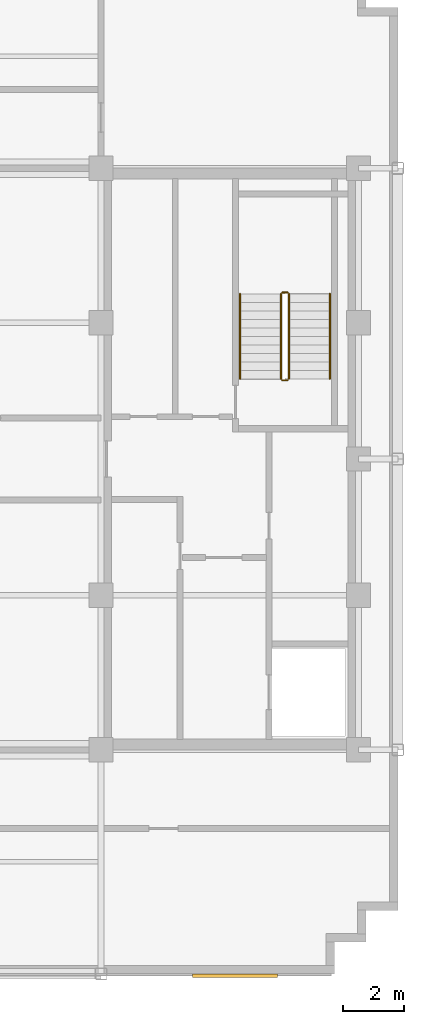
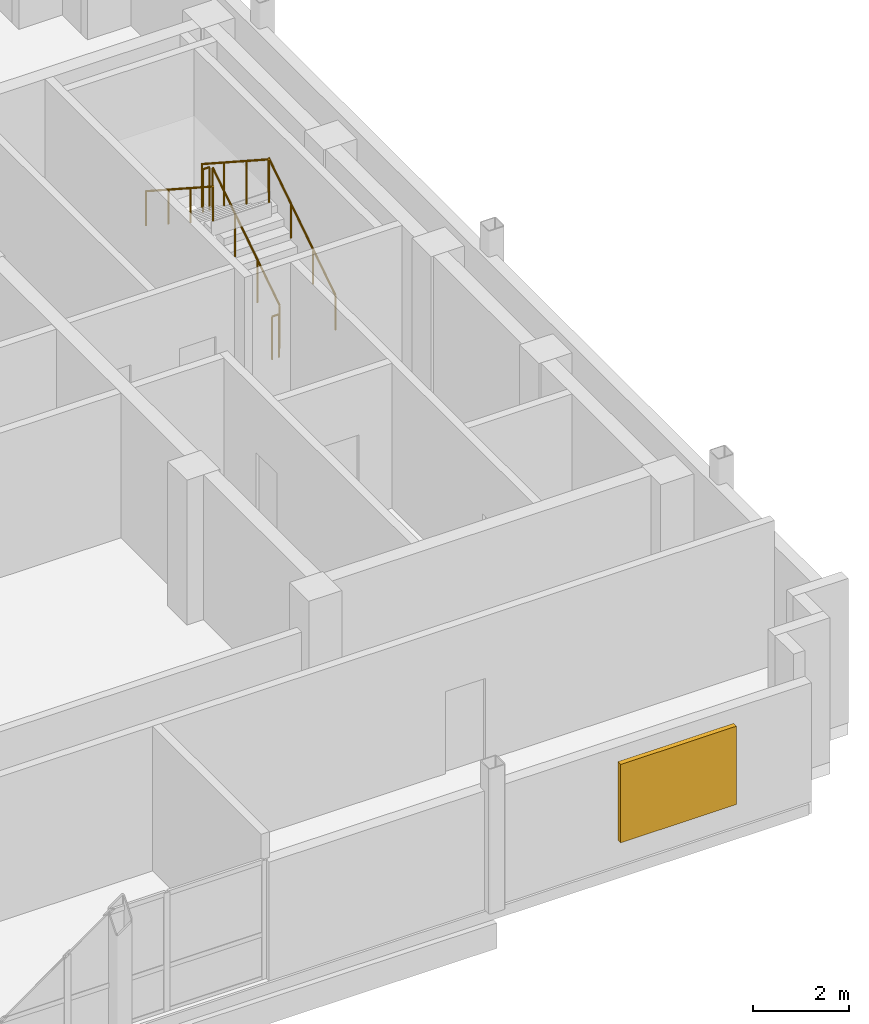
# One storey, part 9 of 10: 6 railings, 1 shading device.
"""IFC4 building model written with IfcOpenShell, lengths in metres."""

import ifcopenshell
import ifcopenshell.guid

model = None  # the IFC model being written
_history = None  # IfcOwnerHistory: only IFC2X3 demands one
_inside = {}  # id of a spatial element -> (the spatial element, [elements in it])
_under = {}  # id of a project, library or spatial element -> (it, [spatial elements below it])
_declared = {}  # id of a project -> (the project, [libraries it declares])
_typed = {}  # id of a type object -> (the type object, [elements of that type])
_made_of = {}  # id of a material, layer set ... -> (it, [elements and type objects made of it])


def new_model(schema):
    """Start an empty IFC model of exactly this schema.

    Asked for "IFC4X3", IfcOpenShell would pick the latest addendum, in which some entities
    have other attributes; the version numbers below select the first issue.
    IFC2X3 requires an IfcOwnerHistory on every rooted entity: one is made here for all.
    """
    global model, _history
    if schema == "IFC4X3":
        model = ifcopenshell.file(schema_version=(4, 3, 0, 0))
    else:
        model = ifcopenshell.file(schema=schema)
    _inside.clear()
    _under.clear()
    _declared.clear()
    _typed.clear()
    _made_of.clear()
    _history = None
    if model.schema == "IFC2X3":
        org = make("IfcOrganization", Name="unknown")
        user = make(
            "IfcPersonAndOrganization",
            ThePerson=make("IfcPerson", FamilyName="unknown"),
            TheOrganization=org,
        )
        app = make(
            "IfcApplication",
            ApplicationDeveloper=org,
            Version="unknown",
            ApplicationFullName="unknown",
            ApplicationIdentifier="unknown",
        )
        _history = make(
            "IfcOwnerHistory",
            OwningUser=user,
            OwningApplication=app,
            ChangeAction="ADDED",
            CreationDate=0,
        )
    return model


def make(cls, **values):
    """One entity of the class cls with the attributes given. An attribute that is None is left unset."""
    return model.create_entity(
        cls, **{name: value for name, value in values.items() if value is not None}
    )


def rooted(cls, **values):
    """An entity with a GlobalId (a new one), such as an element, a storey or a relation."""
    return make(cls, GlobalId=ifcopenshell.guid.new(), OwnerHistory=_history, **values)


def si_unit(unit_type, name, prefix=None):
    """IfcSIUnit, for example si_unit("LENGTHUNIT", "METRE", prefix="MILLI")."""
    return make("IfcSIUnit", UnitType=unit_type, Prefix=prefix, Name=name)


def assignment(units):
    """IfcUnitAssignment: the units of a project."""
    return None if units is None else make("IfcUnitAssignment", Units=units)


def point(xyz):
    """IfcCartesianPoint."""
    return None if xyz is None else make("IfcCartesianPoint", Coordinates=xyz)


def direction(xyz):
    """IfcDirection."""
    return None if xyz is None else make("IfcDirection", DirectionRatios=xyz)


def frame(location, z_axis=None, x_axis=None):
    """IfcAxis2Placement3D, a coordinate frame: its origin and axes. An axis left out is left unset."""
    return make(
        "IfcAxis2Placement3D",
        Location=point(location),
        Axis=direction(z_axis),
        RefDirection=direction(x_axis),
    )


def frame_2d(location, x_axis=None):
    """IfcAxis2Placement2D, a coordinate frame in the plane: its origin and x axis."""
    return make(
        "IfcAxis2Placement2D", Location=point(location), RefDirection=direction(x_axis)
    )


def origin():
    """The frame at (0, 0, 0) with its axes left unset."""
    return frame((0.0, 0.0, 0.0))


def origin_2d():
    """The frame at (0, 0) in the plane with its x axis left unset."""
    return frame_2d((0.0, 0.0))


def place(relative_to, where):
    """IfcLocalPlacement: puts the frame where relative to a parent placement (None: the world)."""
    return make(
        "IfcLocalPlacement", PlacementRelTo=relative_to, RelativePlacement=where
    )


def context(
    kind, dimensions, precision=None, world=None, true_north=None, identifier=None
):
    """IfcGeometricRepresentationContext, for example the 3D "Model" context."""
    return make(
        "IfcGeometricRepresentationContext",
        ContextIdentifier=identifier,
        ContextType=kind,
        CoordinateSpaceDimension=dimensions,
        Precision=precision,
        WorldCoordinateSystem=world,
        TrueNorth=true_north,
    )


def subcontext(parent, identifier, kind, view, scale=None):
    """IfcGeometricRepresentationSubContext, for example "Body" below "Model"."""
    return make(
        "IfcGeometricRepresentationSubContext",
        ContextIdentifier=identifier,
        ContextType=kind,
        ParentContext=parent,
        TargetScale=scale,
        TargetView=view,
    )


def project(units=None, contexts=None):
    """IfcProject with its units and contexts."""
    return rooted(
        "IfcProject",
        Name="project",
        RepresentationContexts=contexts,
        UnitsInContext=assignment(units),
    )


def spatial(cls, under=None, at=None, **own):
    """A site, building, storey or space (cls), placed at a placement, below another one or the project."""
    s = rooted(cls, ObjectPlacement=at, **own)
    if under is not None:
        _under.setdefault(under.id(), (under, []))[1].append(s)
    return s


def profile(cls, at=None, kind="AREA", **sizes):
    """A parametric profile (cls). Its sizes go by their IFC names, for example OverallWidth=200.0."""
    return make(cls, ProfileType=kind, Position=at, **sizes)


def rectangle(**sizes):
    """IfcRectangleProfileDef."""
    return profile("IfcRectangleProfileDef", **sizes)


def circle(**sizes):
    """IfcCircleProfileDef."""
    return profile("IfcCircleProfileDef", **sizes)


def extrude(swept, where, along, depth):
    """IfcExtrudedAreaSolid: the profile swept, set in the frame where, extruded along a direction by depth."""
    return make(
        "IfcExtrudedAreaSolid",
        SweptArea=swept,
        Position=where,
        ExtrudedDirection=direction(along),
        Depth=depth,
    )


def shape(context_of_items, identifier, shape_type, items):
    """IfcShapeRepresentation: the items that make up one representation, for example the "Body"."""
    return make(
        "IfcShapeRepresentation",
        ContextOfItems=context_of_items,
        RepresentationIdentifier=identifier,
        RepresentationType=shape_type,
        Items=items,
    )


def source(mapping_origin, context_of_items, identifier, shape_type, items):
    """IfcRepresentationMap: a shape defined once, which mapped items show again and again."""
    return make(
        "IfcRepresentationMap",
        MappingOrigin=mapping_origin,
        MappedRepresentation=shape(context_of_items, identifier, shape_type, items),
    )


def transform(
    local_origin,
    x_axis=None,
    y_axis=None,
    z_axis=None,
    scale=None,
    scale2=None,
    scale3=None,
    uniform=True,
):
    """IfcCartesianTransformationOperator3D, or its non-uniform kind. x_axis, y_axis, z_axis: its Axis1, 2, 3."""
    if uniform:
        return make(
            "IfcCartesianTransformationOperator3D",
            Axis1=direction(x_axis),
            Axis2=direction(y_axis),
            LocalOrigin=point(local_origin),
            Scale=scale,
            Axis3=direction(z_axis),
        )
    return make(
        "IfcCartesianTransformationOperator3DnonUniform",
        Axis1=direction(x_axis),
        Axis2=direction(y_axis),
        LocalOrigin=point(local_origin),
        Scale=scale,
        Axis3=direction(z_axis),
        Scale2=scale2,
        Scale3=scale3,
    )


def mapped(mapping_source, mapping_target):
    """IfcMappedItem: shows the shape of a source again, moved by a transform."""
    return make(
        "IfcMappedItem", MappingSource=mapping_source, MappingTarget=mapping_target
    )


def material(Name=None, Category=None):
    """IfcMaterial."""
    return make("IfcMaterial", Name=Name, Category=Category)


def made_of(thing, what):
    """Note that an element or type object is made of a material, layer set ...; save() writes the relation."""
    if what is not None:
        _made_of.setdefault(what.id(), (what, []))[1].append(thing)
    return thing


def type_object(cls, material=None, **own):
    """A type object (cls), such as IfcWallType, which elements share."""
    return made_of(rooted(cls, **own), material)


def type_shapes(of_type, sources):
    """Give a type object the sources (RepresentationMaps) that its elements show as mapped items."""
    of_type.RepresentationMaps = sources


def element(
    cls,
    number,
    at=None,
    inside=None,
    cuts=None,
    type_object=None,
    material=None,
    context=None,
    identifier="Body",
    shape_type=None,
    held_by="IfcProductDefinitionShape",
    body=None,
    shapes=None,
    **own,
):
    """One element of the class cls, such as IfcWall. Its Tag is "e" and its number.

    at: its placement. inside: the storey or other place that contains it. cuts: it is an
    opening in that element (IfcRelVoidsElement). A single representation is given by context,
    identifier, shape_type and body (its items); several are given by shapes. held_by: the class
    of the entity that holds the representations. save() writes the other relations.
    """
    e = rooted(cls, Tag="e%d" % number, ObjectPlacement=at, **own)
    if body is not None:
        shapes = [shape(context, identifier, shape_type, body)]
    if shapes is not None:
        e.Representation = make(held_by, Representations=shapes)
    if inside is not None:
        _inside.setdefault(inside.id(), (inside, []))[1].append(e)
    if cuts is not None:
        rooted(
            "IfcRelVoidsElement", RelatingBuildingElement=cuts, RelatedOpeningElement=e
        )
    if type_object is not None:
        _typed.setdefault(type_object.id(), (type_object, []))[1].append(e)
    return made_of(e, material)


def aggregate(whole, parts):
    """IfcRelAggregates: a whole, such as a stair, and the parts it consists of."""
    return rooted("IfcRelAggregates", RelatingObject=whole, RelatedObjects=parts)


def save(model, path):
    """Write the relations noted so far, then the file.

    IfcRelAggregates (storeys below a building ...), IfcRelContainedInSpatialStructure (elements
    in a storey), IfcRelDefinesByType, IfcRelAssociatesMaterial and IfcRelDeclares: one each for
    every whole, place, type object, material and project.
    """
    for whole, parts in _under.values():
        aggregate(whole, parts)
    for where, things in _inside.values():
        rooted(
            "IfcRelContainedInSpatialStructure",
            RelatedElements=things,
            RelatingStructure=where,
        )
    for kind, things in _typed.values():
        rooted("IfcRelDefinesByType", RelatedObjects=things, RelatingType=kind)
    for what, things in _made_of.values():
        rooted("IfcRelAssociatesMaterial", RelatedObjects=things, RelatingMaterial=what)
    for by, libraries in _declared.values():
        rooted("IfcRelDeclares", RelatingContext=by, RelatedDefinitions=libraries)
    model.write(path)


model = new_model("IFC4")

# Units and contexts
model_context = context("Model", 3, precision=1e-05, world=origin(), true_north=direction((0.0, 1.0)))
body_context = subcontext(model_context, "Body", "Model", "MODEL_VIEW")
ifc_project = project(units=[si_unit("LENGTHUNIT", "METRE"), si_unit("AREAUNIT", "SQUARE_METRE"), si_unit("VOLUMEUNIT", "CUBIC_METRE"), si_unit("PLANEANGLEUNIT", "RADIAN"), si_unit("MASSUNIT", "GRAM", prefix="KILO")], contexts=[model_context])

# Site, building, storey
site_placement = place(None, origin())
site = spatial("IfcSite", under=ifc_project, at=site_placement, CompositionType="ELEMENT")
building_placement = place(site_placement, origin())
building = spatial("IfcBuilding", under=site, at=building_placement, Name="Nuvemarco Arch Tower", CompositionType="ELEMENT")
storey_placement = place(building_placement, frame((0.0, 0.0, 295.14990234375)))
storey = spatial("IfcBuildingStorey", under=building, at=storey_placement, Name="L78", CompositionType="ELEMENT", Elevation=295.14990234375)

# Railings
ifc_material_1 = material(Name="Brushed stainless steel handrail", Category="steel")
railing_type_1 = type_object("IfcRailingType", Name="RL-HANDRAIL-900", PredefinedType="HANDRAIL", material=ifc_material_1)
railing_1_placement = place(storey_placement, frame((16.550048828125, 2.64990234375, 0.181884765625)))
element("IfcRailing", 1, at=railing_1_placement, inside=storey, type_object=railing_type_1, Name="L78 ST-2 stair handrail 1", PredefinedType="HANDRAIL", context=body_context, shape_type="SweptSolid", body=[
    extrude(circle(Radius=0.02392578125, at=origin_2d()), frame((0.0, 0.0, 0.8759765625), z_axis=(0.0, 0.838705829183, 0.544584733623), x_axis=(-1.0, 0.0, 0.0)), (0.0, 0.0, 1.0), 3.338623046875),
    extrude(circle(Radius=0.02099609375, at=origin_2d()), origin(), (0.0, 0.0, 1.0), 0.851806640625),
    extrude(circle(Radius=0.02099609375, at=origin_2d()), frame((0.0, 0.933349609375, 0.60595703125)), (0.0, 0.0, 1.0), 0.851806640625),
    extrude(circle(Radius=0.02099609375, at=origin_2d()), frame((0.0, 1.86669921875, 1.212158203125)), (0.0, 0.0, 1.0), 0.851806640625),
    extrude(circle(Radius=0.02099609375, at=origin_2d()), frame((0.0, 2.800048828125, 1.818115234375)), (0.0, 0.0, 1.0), 0.851806640625),
])
railing_2_placement = place(storey_placement, frame((13.590087890625, 5.449951171875, 2.181884765625)))
element("IfcRailing", 2, at=railing_2_placement, inside=storey, type_object=railing_type_1, Name="L78 ST-2 stair handrail 2", PredefinedType="HANDRAIL", context=body_context, shape_type="SweptSolid", body=[
    extrude(circle(Radius=0.02392578125, at=origin_2d()), frame((0.0, 0.0, 0.8759765625), z_axis=(0.0, -0.838705829183, 0.544584733623), x_axis=(1.0, 0.0, 0.0)), (0.0, 0.0, 1.0), 3.338623046875),
    extrude(circle(Radius=0.02099609375, at=origin_2d()), origin(), (0.0, 0.0, 1.0), 0.851806640625),
    extrude(circle(Radius=0.02099609375, at=origin_2d()), frame((0.0, -0.933349609375, 0.60595703125)), (0.0, 0.0, 1.0), 0.851806640625),
    extrude(circle(Radius=0.02099609375, at=origin_2d()), frame((0.0, -1.86669921875, 1.212158203125)), (0.0, 0.0, 1.0), 0.851806640625),
    extrude(circle(Radius=0.02099609375, at=origin_2d()), frame((0.0, -2.800048828125, 1.818115234375)), (0.0, 0.0, 1.0), 0.851806640625),
])
ifc_material_2 = material(Name="Painted balustrade steel S355", Category="steel")
railing_type_2 = type_object("IfcRailingType", Name="RL-STAIR-GUARD", PredefinedType="GUARDRAIL", material=ifc_material_2)
railing_3_placement = place(storey_placement, frame((15.199951171875, 2.64990234375, 0.181884765625)))
element("IfcRailing", 3, at=railing_3_placement, inside=storey, type_object=railing_type_2, Name="L78 ST-2 stair guard 1", PredefinedType="GUARDRAIL", context=body_context, shape_type="SweptSolid", body=[
    extrude(circle(Radius=0.02392578125, at=origin_2d()), frame((0.0, 0.0, 1.09619140625), z_axis=(0.0, 0.838705829183, 0.544584733623), x_axis=(-1.0, 0.0, 0.0)), (0.0, 0.0, 1.0), 3.338623046875),
    extrude(circle(Radius=0.02099609375, at=origin_2d()), origin(), (0.0, 0.0, 1.0), 1.072021484375),
    extrude(circle(Radius=0.02099609375, at=origin_2d()), frame((0.0, 0.933349609375, 0.60595703125)), (0.0, 0.0, 1.0), 1.072021484375),
    extrude(circle(Radius=0.02099609375, at=origin_2d()), frame((0.0, 1.86669921875, 1.212158203125)), (0.0, 0.0, 1.0), 1.072021484375),
    extrude(circle(Radius=0.02099609375, at=origin_2d()), frame((0.0, 2.800048828125, 1.818115234375)), (0.0, 0.0, 1.0), 1.072021484375),
])
railing_4_placement = place(storey_placement, frame((15.14990234375, 5.5, 2.0)))
element("IfcRailing", 4, at=railing_4_placement, inside=storey, type_object=railing_type_2, Name="L78 ST-2 stair guard 2", PredefinedType="GUARDRAIL", context=body_context, shape_type="SweptSolid", body=[
    extrude(circle(Radius=0.02392578125, at=origin_2d()), frame((0.0, 0.0, 1.09619140625), z_axis=(-1.0, 0.0, 0.0), x_axis=(0.0, -1.0, 0.0)), (0.0, 0.0, 1.0), 0.159912109375),
    extrude(circle(Radius=0.02099609375, at=origin_2d()), origin(), (0.0, 0.0, 1.0), 1.072021484375),
    extrude(circle(Radius=0.02099609375, at=origin_2d()), frame((-0.159912109375, 0.0, 0.0)), (0.0, 0.0, 1.0), 1.072021484375),
])
railing_5_placement = place(storey_placement, frame((14.93994140625, 5.449951171875, 2.181884765625)))
element("IfcRailing", 5, at=railing_5_placement, inside=storey, type_object=railing_type_2, Name="L78 ST-2 stair guard 3", PredefinedType="GUARDRAIL", context=body_context, shape_type="SweptSolid", body=[
    extrude(circle(Radius=0.02392578125, at=origin_2d()), frame((0.0, 0.0, 1.09619140625), z_axis=(0.0, -0.838705829183, 0.544584733623), x_axis=(1.0, 0.0, 0.0)), (0.0, 0.0, 1.0), 3.338623046875),
    extrude(circle(Radius=0.02099609375, at=origin_2d()), origin(), (0.0, 0.0, 1.0), 1.072021484375),
    extrude(circle(Radius=0.02099609375, at=origin_2d()), frame((0.0, -0.933349609375, 0.60595703125)), (0.0, 0.0, 1.0), 1.072021484375),
    extrude(circle(Radius=0.02099609375, at=origin_2d()), frame((0.0, -1.86669921875, 1.212158203125)), (0.0, 0.0, 1.0), 1.072021484375),
    extrude(circle(Radius=0.02099609375, at=origin_2d()), frame((0.0, -2.800048828125, 1.818115234375)), (0.0, 0.0, 1.0), 1.072021484375),
])
railing_6_placement = place(storey_placement, frame((15.14990234375, 2.60009765625, 0.0)))
element("IfcRailing", 6, at=railing_6_placement, inside=storey, type_object=railing_type_2, Name="L78 ST-2 stair guard 4", PredefinedType="GUARDRAIL", context=body_context, shape_type="SweptSolid", body=[
    extrude(circle(Radius=0.02392578125, at=origin_2d()), frame((0.0, 0.0, 1.09619140625), z_axis=(-1.0, 0.0, 0.0), x_axis=(0.0, -1.0, 0.0)), (0.0, 0.0, 1.0), 0.159912109375),
    extrude(circle(Radius=0.02099609375, at=origin_2d()), origin(), (0.0, 0.0, 1.0), 1.072021484375),
    extrude(circle(Radius=0.02099609375, at=origin_2d()), frame((-0.159912109375, 0.0, 0.0)), (0.0, 0.0, 1.0), 1.072021484375),
])

# Shading device
ifc_material_3 = material(Name="Anodised aluminium 6063-T6", Category="aluminium")
shading_device_type = type_object("IfcShadingDeviceType", Name="SHD-LOUVRE-PLANT", PredefinedType="JALOUSIE", material=ifc_material_3)
shared_shape = source(origin(), body_context, "Body", "SweptSolid", [
    extrude(rectangle(XDim=2.800048828125, YDim=0.1201171875, at=origin_2d()), origin(), (0.0, 0.0, 1.0), 2.0),
])
type_shapes(shading_device_type, [shared_shape])
shading_device_placement = place(storey_placement, frame((13.425048828125, -17.054931640625, 0.650146484375), z_axis=(0.0, 0.0, 1.0), x_axis=(1.0, 0.0, 0.0)))
element("IfcShadingDevice", 7, at=shading_device_placement, inside=storey, type_object=shading_device_type, Name="L78 acoustic plant louvre panel 2", PredefinedType="JALOUSIE", context=body_context, shape_type="MappedRepresentation", body=[
    mapped(shared_shape, transform((0.0, 0.0, 0.0), scale=1.0)),
])

save(model, "model.ifc")
